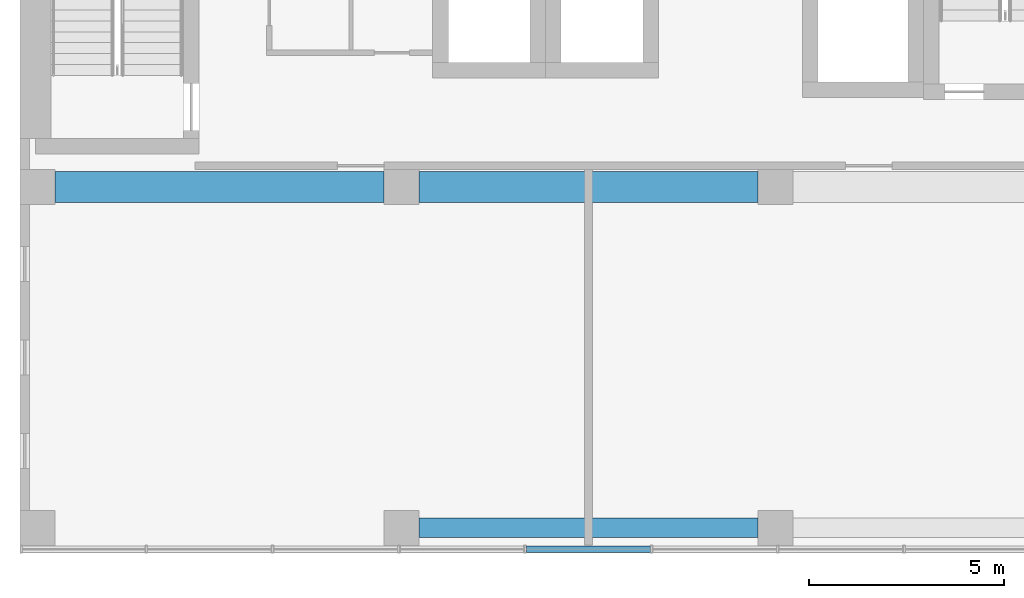
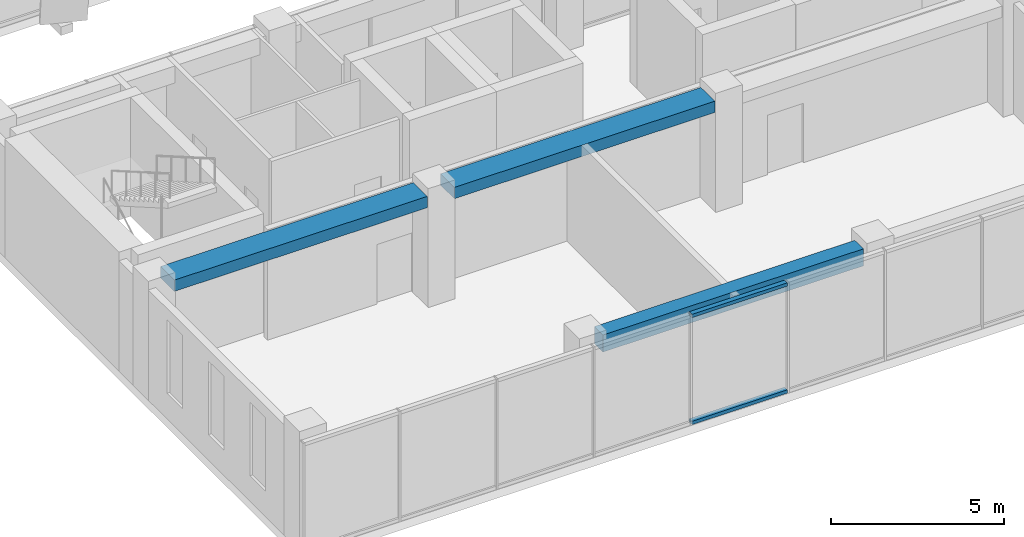
# One storey, part 3 of 36: 3 beams, 2 members, 1 element without a shape of its own.
"""IFC4 building model written with IfcOpenShell, lengths in metres."""

import ifcopenshell
import ifcopenshell.guid

model = None  # the IFC model being written
_history = None  # IfcOwnerHistory: only IFC2X3 demands one
_inside = {}  # id of a spatial element -> (the spatial element, [elements in it])
_under = {}  # id of a project, library or spatial element -> (it, [spatial elements below it])
_declared = {}  # id of a project -> (the project, [libraries it declares])
_typed = {}  # id of a type object -> (the type object, [elements of that type])
_made_of = {}  # id of a material, layer set ... -> (it, [elements and type objects made of it])


def new_model(schema):
    """Start an empty IFC model of exactly this schema.

    Asked for "IFC4X3", IfcOpenShell would pick the latest addendum, in which some entities
    have other attributes; the version numbers below select the first issue.
    IFC2X3 requires an IfcOwnerHistory on every rooted entity: one is made here for all.
    """
    global model, _history
    if schema == "IFC4X3":
        model = ifcopenshell.file(schema_version=(4, 3, 0, 0))
    else:
        model = ifcopenshell.file(schema=schema)
    _inside.clear()
    _under.clear()
    _declared.clear()
    _typed.clear()
    _made_of.clear()
    _history = None
    if model.schema == "IFC2X3":
        org = make("IfcOrganization", Name="unknown")
        user = make(
            "IfcPersonAndOrganization",
            ThePerson=make("IfcPerson", FamilyName="unknown"),
            TheOrganization=org,
        )
        app = make(
            "IfcApplication",
            ApplicationDeveloper=org,
            Version="unknown",
            ApplicationFullName="unknown",
            ApplicationIdentifier="unknown",
        )
        _history = make(
            "IfcOwnerHistory",
            OwningUser=user,
            OwningApplication=app,
            ChangeAction="ADDED",
            CreationDate=0,
        )
    return model


def make(cls, **values):
    """One entity of the class cls with the attributes given. An attribute that is None is left unset."""
    return model.create_entity(
        cls, **{name: value for name, value in values.items() if value is not None}
    )


def rooted(cls, **values):
    """An entity with a GlobalId (a new one), such as an element, a storey or a relation."""
    return make(cls, GlobalId=ifcopenshell.guid.new(), OwnerHistory=_history, **values)


def si_unit(unit_type, name, prefix=None):
    """IfcSIUnit, for example si_unit("LENGTHUNIT", "METRE", prefix="MILLI")."""
    return make("IfcSIUnit", UnitType=unit_type, Prefix=prefix, Name=name)


def assignment(units):
    """IfcUnitAssignment: the units of a project."""
    return None if units is None else make("IfcUnitAssignment", Units=units)


def point(xyz):
    """IfcCartesianPoint."""
    return None if xyz is None else make("IfcCartesianPoint", Coordinates=xyz)


def direction(xyz):
    """IfcDirection."""
    return None if xyz is None else make("IfcDirection", DirectionRatios=xyz)


def frame(location, z_axis=None, x_axis=None):
    """IfcAxis2Placement3D, a coordinate frame: its origin and axes. An axis left out is left unset."""
    return make(
        "IfcAxis2Placement3D",
        Location=point(location),
        Axis=direction(z_axis),
        RefDirection=direction(x_axis),
    )


def frame_2d(location, x_axis=None):
    """IfcAxis2Placement2D, a coordinate frame in the plane: its origin and x axis."""
    return make(
        "IfcAxis2Placement2D", Location=point(location), RefDirection=direction(x_axis)
    )


def origin():
    """The frame at (0, 0, 0) with its axes left unset."""
    return frame((0.0, 0.0, 0.0))


def origin_2d():
    """The frame at (0, 0) in the plane with its x axis left unset."""
    return frame_2d((0.0, 0.0))


def place(relative_to, where):
    """IfcLocalPlacement: puts the frame where relative to a parent placement (None: the world)."""
    return make(
        "IfcLocalPlacement", PlacementRelTo=relative_to, RelativePlacement=where
    )


def context(
    kind, dimensions, precision=None, world=None, true_north=None, identifier=None
):
    """IfcGeometricRepresentationContext, for example the 3D "Model" context."""
    return make(
        "IfcGeometricRepresentationContext",
        ContextIdentifier=identifier,
        ContextType=kind,
        CoordinateSpaceDimension=dimensions,
        Precision=precision,
        WorldCoordinateSystem=world,
        TrueNorth=true_north,
    )


def subcontext(parent, identifier, kind, view, scale=None):
    """IfcGeometricRepresentationSubContext, for example "Body" below "Model"."""
    return make(
        "IfcGeometricRepresentationSubContext",
        ContextIdentifier=identifier,
        ContextType=kind,
        ParentContext=parent,
        TargetScale=scale,
        TargetView=view,
    )


def project(units=None, contexts=None):
    """IfcProject with its units and contexts."""
    return rooted(
        "IfcProject",
        Name="project",
        RepresentationContexts=contexts,
        UnitsInContext=assignment(units),
    )


def spatial(cls, under=None, at=None, **own):
    """A site, building, storey or space (cls), placed at a placement, below another one or the project."""
    s = rooted(cls, ObjectPlacement=at, **own)
    if under is not None:
        _under.setdefault(under.id(), (under, []))[1].append(s)
    return s


def profile(cls, at=None, kind="AREA", **sizes):
    """A parametric profile (cls). Its sizes go by their IFC names, for example OverallWidth=200.0."""
    return make(cls, ProfileType=kind, Position=at, **sizes)


def rectangle(**sizes):
    """IfcRectangleProfileDef."""
    return profile("IfcRectangleProfileDef", **sizes)


def hollow_rectangle(**sizes):
    """IfcRectangleHollowProfileDef."""
    return profile("IfcRectangleHollowProfileDef", **sizes)


def extrude(swept, where, along, depth):
    """IfcExtrudedAreaSolid: the profile swept, set in the frame where, extruded along a direction by depth."""
    return make(
        "IfcExtrudedAreaSolid",
        SweptArea=swept,
        Position=where,
        ExtrudedDirection=direction(along),
        Depth=depth,
    )


def shape(context_of_items, identifier, shape_type, items):
    """IfcShapeRepresentation: the items that make up one representation, for example the "Body"."""
    return make(
        "IfcShapeRepresentation",
        ContextOfItems=context_of_items,
        RepresentationIdentifier=identifier,
        RepresentationType=shape_type,
        Items=items,
    )


def material(Name=None, Category=None):
    """IfcMaterial."""
    return make("IfcMaterial", Name=Name, Category=Category)


def layer(
    of_material, thickness, ventilated=None, Name=None, Category=None, Priority=None
):
    """IfcMaterialLayer: one layer of a wall or slab, of a material (None: an air gap)."""
    return make(
        "IfcMaterialLayer",
        Material=of_material,
        LayerThickness=thickness,
        IsVentilated=ventilated,
        Name=Name,
        Category=Category,
        Priority=Priority,
    )


def layer_set(layers, Name=None):
    """IfcMaterialLayerSet."""
    return make("IfcMaterialLayerSet", MaterialLayers=layers, LayerSetName=Name)


def material_profile(
    of_material, cross_section, Name=None, Category=None, Priority=None
):
    """IfcMaterialProfile: a cross section and its material."""
    return make(
        "IfcMaterialProfile",
        Name=Name,
        Material=of_material,
        Profile=cross_section,
        Priority=Priority,
        Category=Category,
    )


def profile_set(profiles, Name=None, composite=None):
    """IfcMaterialProfileSet."""
    return make(
        "IfcMaterialProfileSet",
        Name=Name,
        MaterialProfiles=profiles,
        CompositeProfile=composite,
    )


def made_of(thing, what):
    """Note that an element or type object is made of a material, layer set ...; save() writes the relation."""
    if what is not None:
        _made_of.setdefault(what.id(), (what, []))[1].append(thing)
    return thing


def type_object(cls, material=None, **own):
    """A type object (cls), such as IfcWallType, which elements share."""
    return made_of(rooted(cls, **own), material)


def element(
    cls,
    number,
    at=None,
    inside=None,
    cuts=None,
    type_object=None,
    material=None,
    context=None,
    identifier="Body",
    shape_type=None,
    held_by="IfcProductDefinitionShape",
    body=None,
    shapes=None,
    **own,
):
    """One element of the class cls, such as IfcWall. Its Tag is "e" and its number.

    at: its placement. inside: the storey or other place that contains it. cuts: it is an
    opening in that element (IfcRelVoidsElement). A single representation is given by context,
    identifier, shape_type and body (its items); several are given by shapes. held_by: the class
    of the entity that holds the representations. save() writes the other relations.
    """
    e = rooted(cls, Tag="e%d" % number, ObjectPlacement=at, **own)
    if body is not None:
        shapes = [shape(context, identifier, shape_type, body)]
    if shapes is not None:
        e.Representation = make(held_by, Representations=shapes)
    if inside is not None:
        _inside.setdefault(inside.id(), (inside, []))[1].append(e)
    if cuts is not None:
        rooted(
            "IfcRelVoidsElement", RelatingBuildingElement=cuts, RelatedOpeningElement=e
        )
    if type_object is not None:
        _typed.setdefault(type_object.id(), (type_object, []))[1].append(e)
    return made_of(e, material)


def aggregate(whole, parts):
    """IfcRelAggregates: a whole, such as a stair, and the parts it consists of."""
    return rooted("IfcRelAggregates", RelatingObject=whole, RelatedObjects=parts)


def save(model, path):
    """Write the relations noted so far, then the file.

    IfcRelAggregates (storeys below a building ...), IfcRelContainedInSpatialStructure (elements
    in a storey), IfcRelDefinesByType, IfcRelAssociatesMaterial and IfcRelDeclares: one each for
    every whole, place, type object, material and project.
    """
    for whole, parts in _under.values():
        aggregate(whole, parts)
    for where, things in _inside.values():
        rooted(
            "IfcRelContainedInSpatialStructure",
            RelatedElements=things,
            RelatingStructure=where,
        )
    for kind, things in _typed.values():
        rooted("IfcRelDefinesByType", RelatedObjects=things, RelatingType=kind)
    for what, things in _made_of.values():
        rooted("IfcRelAssociatesMaterial", RelatedObjects=things, RelatingMaterial=what)
    for by, libraries in _declared.values():
        rooted("IfcRelDeclares", RelatingContext=by, RelatedDefinitions=libraries)
    model.write(path)


model = new_model("IFC4")

# Units and contexts
model_context = context("Model", 3, precision=1e-05, world=origin(), true_north=direction((0.0, 1.0)))
body_context = subcontext(model_context, "Body", "Model", "MODEL_VIEW")
ifc_project = project(units=[si_unit("LENGTHUNIT", "METRE"), si_unit("AREAUNIT", "SQUARE_METRE"), si_unit("VOLUMEUNIT", "CUBIC_METRE"), si_unit("PLANEANGLEUNIT", "RADIAN"), si_unit("MASSUNIT", "GRAM", prefix="KILO")], contexts=[model_context])

# Site, building, storey
site_placement = place(None, origin())
site = spatial("IfcSite", under=ifc_project, at=site_placement, CompositionType="ELEMENT")
building_placement = place(site_placement, origin())
building = spatial("IfcBuilding", under=site, at=building_placement, Name="Nzadi Deep Aquarium and Research Tower", CompositionType="ELEMENT")
storey_placement = place(building_placement, frame((0.0, 0.0, 40.300048828125)))
storey = spatial("IfcBuildingStorey", under=building, at=storey_placement, Name="L07", CompositionType="ELEMENT", Elevation=40.300048828125)

# Beams
ifc_material_1 = material(Name="Concrete C35/45", Category="concrete")
ifc_material_profile_1 = material_profile(ifc_material_1, rectangle(XDim=0.5, YDim=0.60009765625, at=origin_2d()))
ifc_profile_set_1 = profile_set([ifc_material_profile_1], Name="Concrete C35/45")
beam_type_1 = type_object("IfcBeamType", Name="RC 500x600", PredefinedType="BEAM", material=ifc_profile_set_1)
beam_1_placement = place(storey_placement, frame((10.050048828125, 0.449951171875, 3.599853515625), z_axis=(1.0, 0.0, 0.0), x_axis=(0.0, 1.0, 0.0)))
element("IfcBeam", 1, at=beam_1_placement, inside=storey, type_object=beam_type_1, Name="B-Z1-L07-L1-2", PredefinedType="BEAM", context=body_context, shape_type="SweptSolid", body=[
    extrude(rectangle(XDim=0.5, YDim=0.60009765625, at=origin_2d()), origin(), (0.0, 0.0, 1.0), 8.699951171875),
])
ifc_material_2 = material(Name="Concrete C35/45", Category="concrete")
ifc_material_profile_2 = material_profile(ifc_material_2, rectangle(XDim=0.800048828125, YDim=0.39990234375, at=origin_2d()))
ifc_profile_set_2 = profile_set([ifc_material_profile_2], Name="Concrete C35/45")
beam_type_2 = type_object("IfcBeamType", Name="RC 800x400", PredefinedType="BEAM", material=ifc_profile_set_2)
beam_2_placement = place(storey_placement, frame((0.699951171875, 9.199951171875, 3.699951171875), z_axis=(1.0, 0.0, 0.0), x_axis=(0.0, 1.0, 0.0)))
element("IfcBeam", 2, at=beam_2_placement, inside=storey, type_object=beam_type_2, Name="B-Z1-L07-L2-1", PredefinedType="BEAM", context=body_context, shape_type="SweptSolid", body=[
    extrude(rectangle(XDim=0.800048828125, YDim=0.39990234375, at=origin_2d()), origin(), (0.0, 0.0, 1.0), 8.449951171875),
])
beam_3_placement = place(storey_placement, frame((10.050048828125, 9.199951171875, 3.699951171875), z_axis=(1.0, 0.0, 0.0), x_axis=(0.0, 1.0, 0.0)))
element("IfcBeam", 3, at=beam_3_placement, inside=storey, type_object=beam_type_2, Name="B-Z1-L07-L2-2", PredefinedType="BEAM", context=body_context, shape_type="SweptSolid", body=[
    extrude(rectangle(XDim=0.800048828125, YDim=0.39990234375, at=origin_2d()), origin(), (0.0, 0.0, 1.0), 8.699951171875),
])

# Curtain wall, members
ifc_material_3 = material(Name="Aluminium unitised frame", Category="aluminium")
ifc_layer = layer(ifc_material_3, 0.199951171875)
ifc_layer_set = layer_set([ifc_layer], Name="Aluminium unitised frame")
curtain_wall_type = type_object("IfcCurtainWallType", Name="Curtain wall Unitised 200", PredefinedType="NOTDEFINED", material=ifc_layer_set)
curtain_wall_placement = place(storey_placement, origin())
curtain_wall = element("IfcCurtainWall", 4, at=curtain_wall_placement, inside=storey, type_object=curtain_wall_type, Name="Unitised curtain wall blade A south L07", PredefinedType="NOTDEFINED")
ifc_material_4 = material(Name="Aluminium unitised frame", Category="aluminium")
ifc_material_profile_3 = material_profile(ifc_material_4, hollow_rectangle(XDim=0.159912109375, YDim=0.1201171875, WallThickness=0.0048828125, at=origin_2d()))
ifc_profile_set_3 = profile_set([ifc_material_profile_3], Name="Aluminium unitised frame")
member_type = type_object("IfcMemberType", Name="Transom 120x160 Unitised", PredefinedType="MULLION", material=ifc_profile_set_3)
member_1_placement = place(storey_placement, frame((12.80322265625, -0.10009765625, 0.06005859375), z_axis=(1.0, 0.0, 0.0), x_axis=(0.0, 1.0, 0.0)))
member_1 = element("IfcMember", 5, at=member_1_placement, type_object=member_type, Name="CW015 transom 5.1", PredefinedType="MULLION", context=body_context, shape_type="SweptSolid", body=[
    extrude(hollow_rectangle(XDim=0.159912109375, YDim=0.1201171875, WallThickness=0.0048828125, at=origin_2d()), origin(), (0.0, 0.0, 1.0), 3.183349609375),
])
member_2_placement = place(storey_placement, frame((12.80322265625, -0.10009765625, 3.83984375), z_axis=(1.0, 0.0, 0.0), x_axis=(0.0, 1.0, 0.0)))
member_2 = element("IfcMember", 6, at=member_2_placement, type_object=member_type, Name="CW015 transom 5.2", PredefinedType="MULLION", context=body_context, shape_type="SweptSolid", body=[
    extrude(hollow_rectangle(XDim=0.159912109375, YDim=0.1201171875, WallThickness=0.0048828125, at=origin_2d()), origin(), (0.0, 0.0, 1.0), 3.183349609375),
])
aggregate(curtain_wall, [member_1, member_2])

save(model, "model.ifc")
